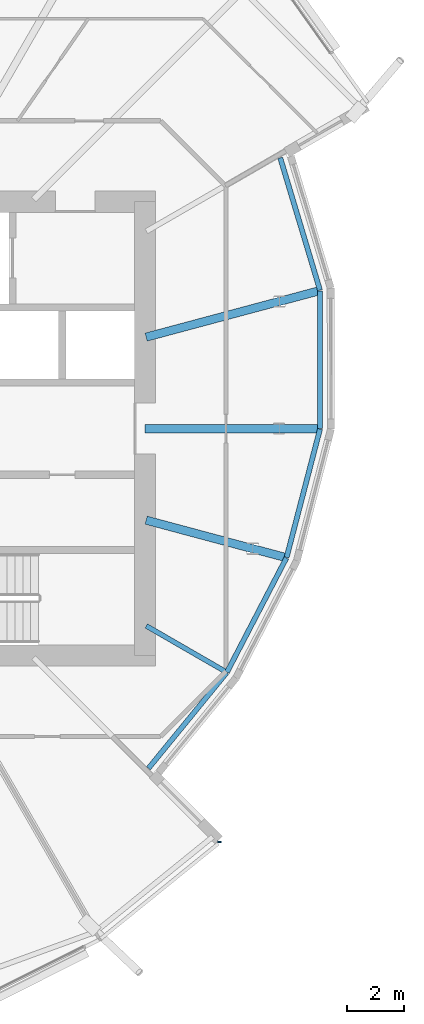
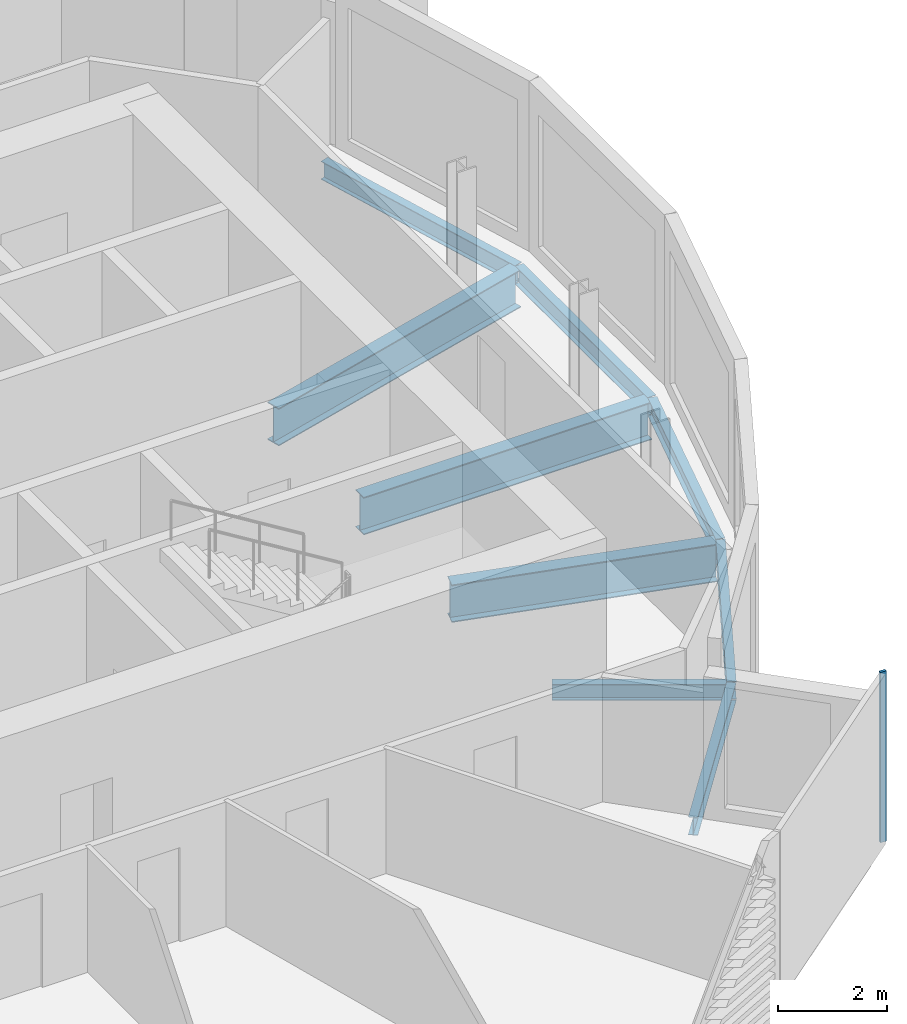
# One storey, part 16 of 38: 9 beams, 1 member, 1 element without a shape of its own.
"""IFC4 building model written with IfcOpenShell, lengths in metres."""

from ifc_helpers import new_model, si_unit, direction, frame, origin, origin_2d, place, context, subcontext, project, spatial, rectangle, i_section, extrude, material, material_profile, profile_set, type_object, element, aggregate, save


model = new_model("IFC4")

# Units and contexts
model_context = context("Model", 3, precision=1e-05, world=origin(), true_north=direction((0.0, 1.0)))
body_context = subcontext(model_context, "Body", "Model", "MODEL_VIEW")
ifc_project = project(units=[si_unit("LENGTHUNIT", "METRE"), si_unit("AREAUNIT", "SQUARE_METRE"), si_unit("VOLUMEUNIT", "CUBIC_METRE"), si_unit("PLANEANGLEUNIT", "RADIAN"), si_unit("MASSUNIT", "GRAM", prefix="KILO")], contexts=[model_context])

# Site, building, storey
site_placement = place(None, origin())
site = spatial("IfcSite", under=ifc_project, at=site_placement, CompositionType="ELEMENT")
building_placement = place(site_placement, origin())
building = spatial("IfcBuilding", under=site, at=building_placement, Name="Rimbun Link Towers", CompositionType="ELEMENT")
storey_placement = place(building_placement, frame((0.0, 0.0, 119.60009765625)))
storey = spatial("IfcBuildingStorey", under=building, at=storey_placement, Name="L29", CompositionType="ELEMENT", Elevation=119.60009765625)

# Curtain wall, member
ifc_material_1 = material(Name="Aluminium 6063-T6 and low-iron glass", Category="aluminium")
curtain_wall_type = type_object("IfcCurtainWallType", Name="CW1-Z2 unitised vision wall (zone 2)", PredefinedType="NOTDEFINED", material=ifc_material_1)
curtain_wall_placement = place(storey_placement, origin())
curtain_wall = element("IfcCurtainWall", 1, at=curtain_wall_placement, inside=storey, type_object=curtain_wall_type, Name="CW1 L29 T2", PredefinedType="NOTDEFINED")
ifc_material_2 = material(Name="Aluminium 6063-T6", Category="aluminium")
ifc_material_profile_1 = material_profile(ifc_material_2, rectangle(XDim=0.1201171875, YDim=0.06005859375, at=origin_2d()), Name="MULLION 60X120")
ifc_profile_set_1 = profile_set([ifc_material_profile_1], Name="Aluminium 6063-T6")
member_type = type_object("IfcMemberType", Name="CW1 mullion 60X120", PredefinedType="MULLION", material=ifc_profile_set_1)
member_placement = place(storey_placement, frame((46.375732421875, -14.56884765625, 0.0), z_axis=(0.0, 0.0, 1.0), x_axis=(0.998624070401, -0.052440118373, 0.0)))
member = element("IfcMember", 2, at=member_placement, type_object=member_type, Name="CW1 mullion", PredefinedType="MULLION", context=body_context, shape_type="SweptSolid", body=[
    extrude(rectangle(XDim=0.1201171875, YDim=0.06005859375, at=origin_2d()), origin(), (0.0, 0.0, 1.0), 3.7998046875),
])
aggregate(curtain_wall, [member])

# Beams
ifc_material_3 = material(Name="Steel S355J2", Category="steel")
ifc_material_profile_2 = material_profile(ifc_material_3, i_section(OverallWidth=0.17138671875, OverallDepth=0.35498046875, WebThickness=0.00732421875, FlangeThickness=0.011474609375, at=origin_2d()), Name="UB 356x171x51")
ifc_profile_set_2 = profile_set([ifc_material_profile_2], Name="Steel S355J2")
beam_type_1 = type_object("IfcBeamType", Name="UB 356x171x51", PredefinedType="BEAM", material=ifc_profile_set_2)
beam_1_placement = place(storey_placement, frame((43.793701171875, -6.95361328125, -0.337646484375), z_axis=(0.866035201123, -0.499983030129, 0.0), x_axis=(0.499983030129, 0.866035201123, 0.0)))
element("IfcBeam", 3, at=beam_1_placement, inside=storey, type_object=beam_type_1, Name="Radial beam T2 L29 19", PredefinedType="BEAM", context=body_context, shape_type="SweptSolid", body=[
    extrude(i_section(OverallWidth=0.17138671875, OverallDepth=0.35498046875, WebThickness=0.00732421875, FlangeThickness=0.011474609375, at=origin_2d()), origin(), (0.0, 0.0, 1.0), 3.18994140625),
])
ifc_material_4 = material(Name="Steel S355J2", Category="steel")
ifc_material_profile_3 = material_profile(ifc_material_4, i_section(OverallWidth=0.177978515625, OverallDepth=0.406494140625, WebThickness=0.0078125, FlangeThickness=0.0126953125, at=origin_2d()), Name="UB 406x178x60")
ifc_profile_set_3 = profile_set([ifc_material_profile_3], Name="Steel S355J2")
beam_type_2 = type_object("IfcBeamType", Name="UB 406x178x60", PredefinedType="BEAM", material=ifc_profile_set_3)
beam_2_placement = place(storey_placement, frame((43.871337890625, -11.97314453125, -0.36328125), z_axis=(0.632999655287, 0.774152075762, 0.0), x_axis=(-0.774152075762, 0.632999655287, 0.0)))
element("IfcBeam", 4, at=beam_2_placement, inside=storey, type_object=beam_type_2, Name="Edge beam T2 L29 18 recess", PredefinedType="BEAM", context=body_context, shape_type="SweptSolid", body=[
    extrude(i_section(OverallWidth=0.177978515625, OverallDepth=0.406494140625, WebThickness=0.0078125, FlangeThickness=0.0126953125, at=origin_2d()), origin(), (0.0, 0.0, 1.0), 4.355224609375),
])
beam_3_placement = place(storey_placement, frame((46.63916015625, -8.58447265625, -0.36328125), z_axis=(0.461434099946, 0.887174487576, 0.0), x_axis=(-0.887174487576, 0.461434099946, 0.0)))
element("IfcBeam", 5, at=beam_3_placement, inside=storey, type_object=beam_type_2, Name="Edge beam T2 L29 19 recess", PredefinedType="BEAM", context=body_context, shape_type="SweptSolid", body=[
    extrude(i_section(OverallWidth=0.177978515625, OverallDepth=0.406494140625, WebThickness=0.0078125, FlangeThickness=0.0126953125, at=origin_2d()), origin(), (0.0, 0.0, 1.0), 4.534912109375),
])
beam_4_placement = place(storey_placement, frame((48.739501953125, -4.541015625, -0.36328125), z_axis=(0.252012028288, 0.967724102003, 0.0), x_axis=(-0.967724102003, 0.252012028288, 0.0)))
element("IfcBeam", 6, at=beam_4_placement, inside=storey, type_object=beam_type_2, Name="Edge beam T2 L29 20 recess", PredefinedType="BEAM", context=body_context, shape_type="SweptSolid", body=[
    extrude(i_section(OverallWidth=0.177978515625, OverallDepth=0.406494140625, WebThickness=0.0078125, FlangeThickness=0.0126953125, at=origin_2d()), origin(), (0.0, 0.0, 1.0), 4.68017578125),
])
beam_5_placement = place(storey_placement, frame((49.922119140625, 0.012451171875, -0.36328125), z_axis=(-0.000252092359, 0.999999968225, 0.0), x_axis=(-0.999999968225, -0.000252092359, 0.0)))
element("IfcBeam", 7, at=beam_5_placement, inside=storey, type_object=beam_type_2, Name="Edge beam T2 L29 21 recess", PredefinedType="BEAM", context=body_context, shape_type="SweptSolid", body=[
    extrude(i_section(OverallWidth=0.177978515625, OverallDepth=0.406494140625, WebThickness=0.0078125, FlangeThickness=0.0126953125, at=origin_2d()), origin(), (0.0, 0.0, 1.0), 4.84228515625),
])
beam_6_placement = place(storey_placement, frame((49.916748046875, 4.88232421875, -0.36328125), z_axis=(-0.28766988803, 0.957729625479, 0.0), x_axis=(-0.957729625479, -0.28766988803, 0.0)))
element("IfcBeam", 8, at=beam_6_placement, inside=storey, type_object=beam_type_2, Name="Edge beam T2 L29 22 recess", PredefinedType="BEAM", context=body_context, shape_type="SweptSolid", body=[
    extrude(i_section(OverallWidth=0.177978515625, OverallDepth=0.406494140625, WebThickness=0.0078125, FlangeThickness=0.0126953125, at=origin_2d()), origin(), (0.0, 0.0, 1.0), 4.868896484375),
])
ifc_material_5 = material(Name="Steel S355J2", Category="steel")
ifc_material_profile_4 = material_profile(ifc_material_5, i_section(OverallWidth=0.29248046875, OverallDepth=0.8408203125, WebThickness=0.0126953125, FlangeThickness=0.021728515625, at=origin_2d()), Name="UB 838x292x194")
ifc_profile_set_4 = profile_set([ifc_material_profile_4], Name="Steel S355J2")
beam_type_3 = type_object("IfcBeamType", Name="UB 838x292x194", PredefinedType="BEAM", material=ifc_profile_set_4)
beam_7_placement = place(storey_placement, frame((43.788818359375, -3.225830078125, -0.58056640625), z_axis=(0.965920980166, -0.258837130403, 0.0), x_axis=(0.258837130403, 0.965920980166, 0.0)))
element("IfcBeam", 9, at=beam_7_placement, inside=storey, type_object=beam_type_3, Name="Radial beam T2 L29 20", PredefinedType="BEAM", context=body_context, shape_type="SweptSolid", body=[
    extrude(i_section(OverallWidth=0.29248046875, OverallDepth=0.8408203125, WebThickness=0.0126953125, FlangeThickness=0.021728515625, at=origin_2d()), origin(), (0.0, 0.0, 1.0), 5.031982421875),
])
beam_8_placement = place(storey_placement, frame((43.7509765625, 0.0, -0.58056640625), z_axis=(1.0, 0.0, 0.0), x_axis=(0.0, 1.0, 0.0)))
element("IfcBeam", 10, at=beam_8_placement, inside=storey, type_object=beam_type_3, Name="Radial beam T2 L29 21", PredefinedType="BEAM", context=body_context, shape_type="SweptSolid", body=[
    extrude(i_section(OverallWidth=0.29248046875, OverallDepth=0.8408203125, WebThickness=0.0126953125, FlangeThickness=0.021728515625, at=origin_2d()), origin(), (0.0, 0.0, 1.0), 6.080322265625),
])
beam_9_placement = place(storey_placement, frame((43.788818359375, 3.225830078125, -0.58056640625), z_axis=(0.965927328821, 0.258813437513, 0.0), x_axis=(-0.258813437513, 0.965927328821, 0.0)))
element("IfcBeam", 11, at=beam_9_placement, inside=storey, type_object=beam_type_3, Name="Radial beam T2 L29 22", PredefinedType="BEAM", context=body_context, shape_type="SweptSolid", body=[
    extrude(i_section(OverallWidth=0.29248046875, OverallDepth=0.8408203125, WebThickness=0.0126953125, FlangeThickness=0.021728515625, at=origin_2d()), origin(), (0.0, 0.0, 1.0), 6.2578125),
])

save(model, "model.ifc")
